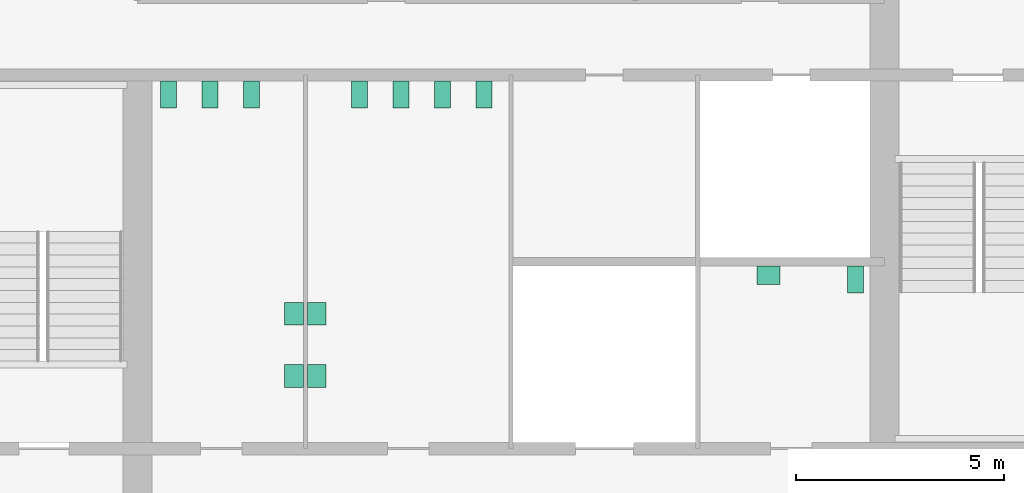
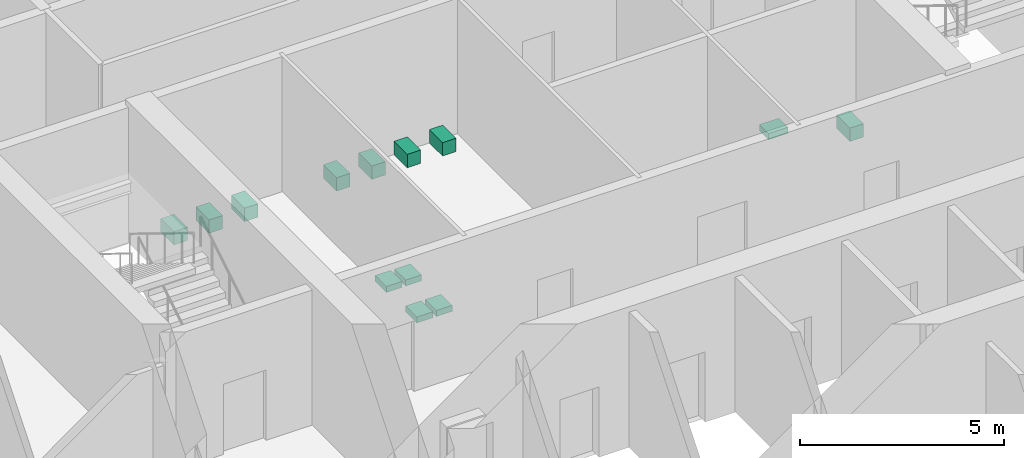
# One storey, part 12 of 12: 13 sanitary terminals.
"""IFC4 building model written with IfcOpenShell, lengths in metres."""

from ifc_helpers import new_model, si_unit, direction, frame, origin, origin_2d, place, context, subcontext, project, spatial, rectangle, extrude, material, type_object, element, save


model = new_model("IFC4")

# Units and contexts
model_context = context("Model", 3, precision=1e-05, world=origin(), true_north=direction((0.0, 1.0)))
body_context = subcontext(model_context, "Body", "Model", "MODEL_VIEW")
ifc_project = project(units=[si_unit("LENGTHUNIT", "METRE"), si_unit("AREAUNIT", "SQUARE_METRE"), si_unit("VOLUMEUNIT", "CUBIC_METRE"), si_unit("PLANEANGLEUNIT", "RADIAN"), si_unit("MASSUNIT", "GRAM", prefix="KILO")], contexts=[model_context])

# Site, building, storey
site_placement = place(None, origin())
site = spatial("IfcSite", under=ifc_project, at=site_placement, CompositionType="ELEMENT")
building_placement = place(site_placement, origin())
building = spatial("IfcBuilding", under=site, at=building_placement, Name="Corais Broadcast Tower", CompositionType="ELEMENT")
storey_placement = place(building_placement, frame((0.0, 0.0, 54.199951171875)))
storey = spatial("IfcBuildingStorey", under=building, at=storey_placement, Name="L11", CompositionType="ELEMENT", Elevation=54.199951171875)

# Sanitary terminals
ifc_material_1 = material(Name="Vitreous china", Category="ceramic")
sanitary_terminal_type_1 = type_object("IfcSanitaryTerminalType", Name="WC pan 380x650", PredefinedType="TOILETPAN", material=ifc_material_1)
for number, where, z_axis, x_axis, name in (
    (1, (18.75, 31.02490234375, 0.0), (0.0, 0.0, 1.0), (1.0, 0.0, 0.0), "SW1 WC pan, male toilets L11"),
    (2, (19.75, 31.02490234375, 0.0), (0.0, 0.0, 1.0), (1.0, 0.0, 0.0), "SW1 WC pan, male toilets L11"),
    (3, (20.75, 31.02490234375, 0.0), (0.0, 0.0, 1.0), (1.0, 0.0, 0.0), "SW1 WC pan, male toilets L11"),
    (4, (23.35009765625, 31.02490234375, 0.0), (0.0, 0.0, 1.0), (1.0, 0.0, 0.0), "SW1 WC pan, female toilets L11"),
    (5, (24.35009765625, 31.02490234375, 0.0), (0.0, 0.0, 1.0), (1.0, 0.0, 0.0), "SW1 WC pan, female toilets L11"),
    (6, (25.35009765625, 31.02490234375, 0.0), (0.0, 0.0, 1.0), (1.0, 0.0, 0.0), "SW1 WC pan, female toilets L11"),
    (7, (26.35009765625, 31.02490234375, 0.0), (0.0, 0.0, 1.0), (1.0, 0.0, 0.0), "SW1 WC pan, female toilets L11"),
    (8, (35.300048828125, 26.574951171875, 0.0), (0.0, 0.0, 1.0), (1.0, 0.0, 0.0), "SW1 WC pan, accessible WC L11"),
):
    element("IfcSanitaryTerminal", number, at=place(storey_placement, frame(where, z_axis=z_axis, x_axis=x_axis)), inside=storey, type_object=sanitary_terminal_type_1, Name=name, PredefinedType="TOILETPAN", context=body_context, shape_type="SweptSolid", body=[
        extrude(rectangle(XDim=0.3798828125, YDim=0.64990234375, at=origin_2d()), origin(), (0.0, 0.0, 1.0), 0.39990234375),
    ])
ifc_material_2 = material(Name="Vitreous china", Category="ceramic")
sanitary_terminal_type_2 = type_object("IfcSanitaryTerminalType", Name="Wash basin 550x450", PredefinedType="WASHHANDBASIN", material=ifc_material_2)
for number, where, z_axis, x_axis, name in (
    (9, (21.77490234375, 24.25, 0.7001953125), (0.0, 0.0, 1.0), (1.0, 0.0, 0.0), "WB1 wash basin, male toilets L11"),
    (10, (21.77490234375, 25.75, 0.7001953125), (0.0, 0.0, 1.0), (1.0, 0.0, 0.0), "WB1 wash basin, male toilets L11"),
    (11, (22.324951171875, 24.25, 0.7001953125), (0.0, 0.0, 1.0), (1.0, 0.0, 0.0), "WB1 wash basin, female toilets L11"),
    (12, (22.324951171875, 25.75, 0.7001953125), (0.0, 0.0, 1.0), (1.0, 0.0, 0.0), "WB1 wash basin, female toilets L11"),
):
    element("IfcSanitaryTerminal", number, at=place(storey_placement, frame(where, z_axis=z_axis, x_axis=x_axis)), inside=storey, type_object=sanitary_terminal_type_2, Name=name, PredefinedType="WASHHANDBASIN", context=body_context, shape_type="SweptSolid", body=[
        extrude(rectangle(XDim=0.449951171875, YDim=0.550048828125, at=origin_2d()), origin(), (0.0, 0.0, 1.0), 0.179931640625),
    ])
sanitary_terminal_placement = place(storey_placement, frame((33.199951171875, 26.675048828125, 0.7001953125), z_axis=(0.0, 0.0, 1.0), x_axis=(1.0, 0.0, 0.0)))
element("IfcSanitaryTerminal", 13, at=sanitary_terminal_placement, inside=storey, type_object=sanitary_terminal_type_2, Name="WB1 wash basin, accessible WC L11", PredefinedType="WASHHANDBASIN", context=body_context, shape_type="SweptSolid", body=[
    extrude(rectangle(XDim=0.550048828125, YDim=0.449951171875, at=origin_2d()), origin(), (0.0, 0.0, 1.0), 0.179931640625),
])

save(model, "model.ifc")
